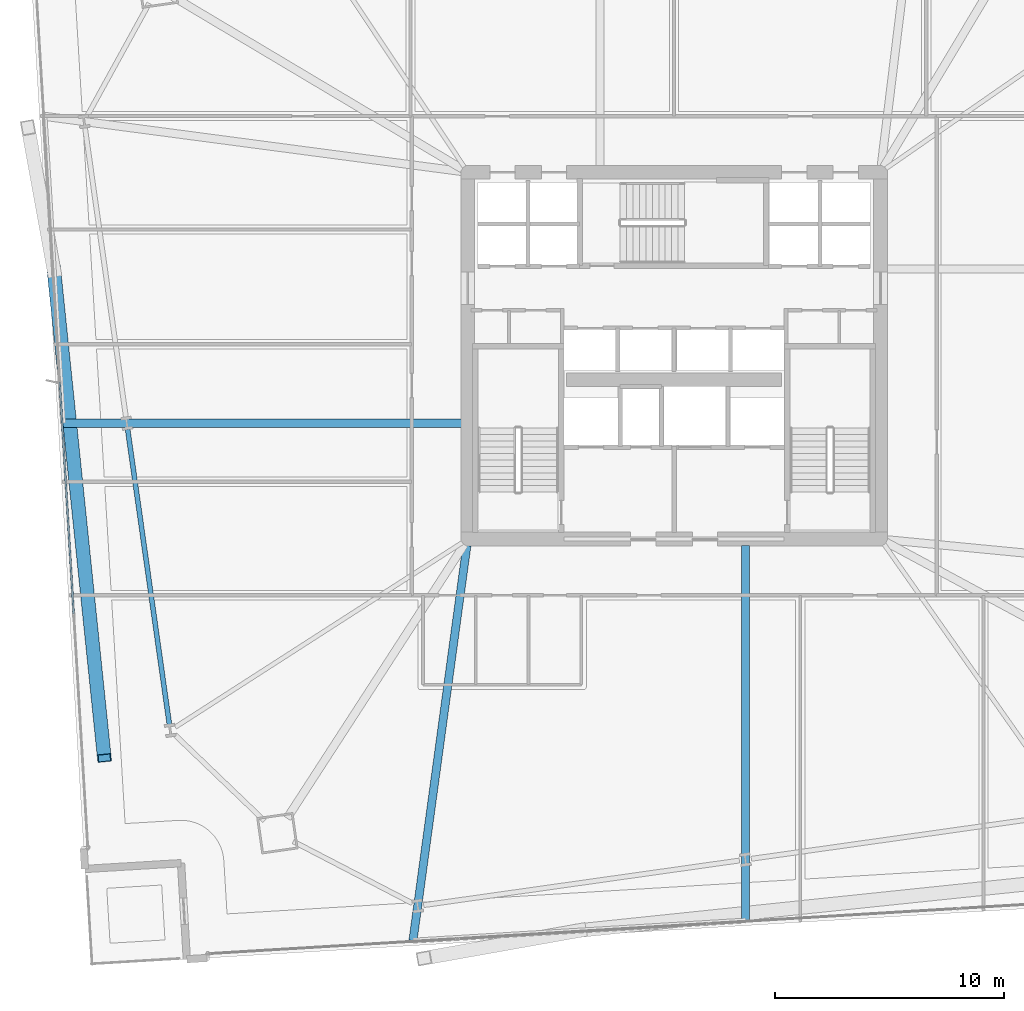
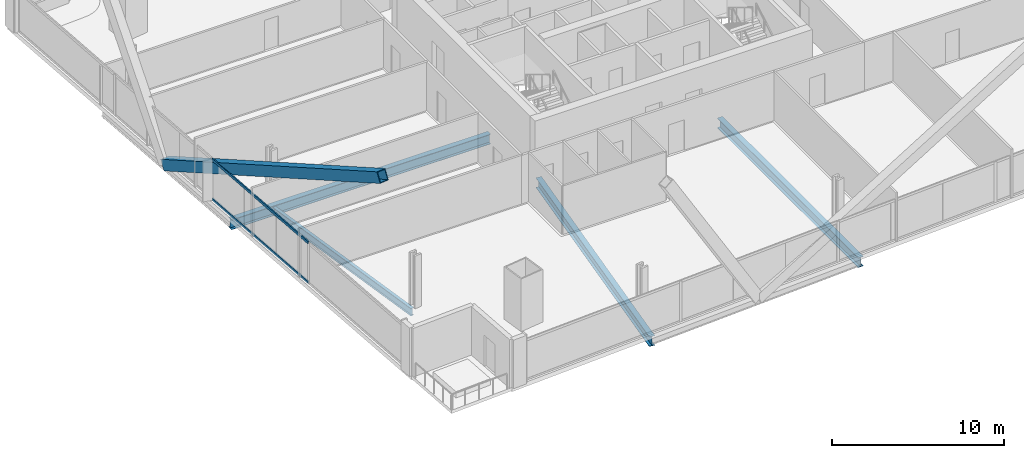
# One storey, part 6 of 34: 4 beams, 3 members, 1 element without a shape of its own.
"""IFC4 building model written with IfcOpenShell, lengths in metres."""

from ifc_helpers import new_model, si_unit, direction, frame, origin, origin_2d, place, context, subcontext, project, spatial, hollow_rectangle, i_section, extrude, material, material_profile, profile_set, type_object, element, aggregate, save


model = new_model("IFC4")

# Units and contexts
model_context = context("Model", 3, precision=1e-05, world=origin(), true_north=direction((0.0, 1.0)))
body_context = subcontext(model_context, "Body", "Model", "MODEL_VIEW")
ifc_project = project(units=[si_unit("LENGTHUNIT", "METRE"), si_unit("AREAUNIT", "SQUARE_METRE"), si_unit("VOLUMEUNIT", "CUBIC_METRE"), si_unit("PLANEANGLEUNIT", "RADIAN"), si_unit("MASSUNIT", "GRAM", prefix="KILO")], contexts=[model_context])

# Site, building, storey
site_placement = place(None, origin())
site = spatial("IfcSite", under=ifc_project, at=site_placement, CompositionType="ELEMENT")
building_placement = place(site_placement, origin())
building = spatial("IfcBuilding", under=site, at=building_placement, Name="Haldenkirk Collegiate Tower", CompositionType="ELEMENT")
storey_placement = place(building_placement, frame((0.0, 0.0, 40.199951171875)))
storey = spatial("IfcBuildingStorey", under=building, at=storey_placement, Name="L08", CompositionType="ELEMENT", Elevation=40.199951171875)

# Beams
ifc_material_1 = material(Name="Steel ASTM A992 Grade 50", Category="steel")
ifc_material_profile_1 = material_profile(ifc_material_1, i_section(OverallWidth=0.35498046875, OverallDepth=0.696044921875, WebThickness=0.015380859375, FlangeThickness=0.02490234375, at=origin_2d()), Name="W27X146")
ifc_profile_set_1 = profile_set([ifc_material_profile_1], Name="Steel ASTM A992 Grade 50")
beam_type_1 = type_object("IfcBeamType", Name="BM-GIRDER-W27X146", PredefinedType="BEAM", material=ifc_profile_set_1)
beam_1_placement = place(storey_placement, frame((24.609130859375, 0.48828125, -0.657958984375), z_axis=(0.135276051162, 0.990807948082, 0.0), x_axis=(-0.990807948082, 0.135276051162, 0.0)))
element("IfcBeam", 1, at=beam_1_placement, inside=storey, type_object=beam_type_1, Name="L08 primary floor girder 05", PredefinedType="BEAM", context=body_context, shape_type="SweptSolid", body=[
    extrude(i_section(OverallWidth=0.35498046875, OverallDepth=0.696044921875, WebThickness=0.015380859375, FlangeThickness=0.02490234375, at=origin_2d()), origin(), (0.0, 0.0, 1.0), 17.394287109375),
])
beam_2_placement = place(storey_placement, frame((39.10888671875, 1.362548828125, -0.657958984375), z_axis=(0.0, 1.0, 0.0), x_axis=(-1.0, 0.0, 0.0)))
element("IfcBeam", 2, at=beam_2_placement, inside=storey, type_object=beam_type_1, Name="L08 primary floor girder 06", PredefinedType="BEAM", context=body_context, shape_type="SweptSolid", body=[
    extrude(i_section(OverallWidth=0.35498046875, OverallDepth=0.696044921875, WebThickness=0.015380859375, FlangeThickness=0.02490234375, at=origin_2d()), origin(), (0.0, 0.0, 1.0), 16.357421875),
])
beam_3_placement = place(storey_placement, frame((9.34912109375, 23.052978515625, -0.657958984375), z_axis=(1.0, 0.0, 0.0), x_axis=(0.0, 1.0, 0.0)))
element("IfcBeam", 3, at=beam_3_placement, inside=storey, type_object=beam_type_1, Name="L08 primary floor girder 15", PredefinedType="BEAM", context=body_context, shape_type="SweptSolid", body=[
    extrude(i_section(OverallWidth=0.35498046875, OverallDepth=0.696044921875, WebThickness=0.015380859375, FlangeThickness=0.02490234375, at=origin_2d()), origin(), (0.0, 0.0, 1.0), 17.370849609375),
])
ifc_material_profile_2 = material_profile(ifc_material_1, i_section(OverallWidth=0.2119140625, OverallDepth=0.5439453125, WebThickness=0.01318359375, FlangeThickness=0.021240234375, at=origin_2d()), Name="W21X83")
ifc_profile_set_2 = profile_set([ifc_material_profile_2], Name="Steel ASTM A992 Grade 50")
beam_type_2 = type_object("IfcBeamType", Name="BM-SPANDREL-W21X83", PredefinedType="SPANDREL", material=ifc_profile_set_2)
beam_4_placement = place(storey_placement, frame((12.16455078125, 22.791015625, -0.58203125), z_axis=(0.140043508171, -0.990145350855, 0.0), x_axis=(0.990145350855, 0.140043508171, 0.0)))
element("IfcBeam", 4, at=beam_4_placement, inside=storey, type_object=beam_type_2, Name="L08 perimeter spandrel beam 15", PredefinedType="SPANDREL", context=body_context, shape_type="SweptSolid", body=[
    extrude(i_section(OverallWidth=0.2119140625, OverallDepth=0.5439453125, WebThickness=0.01318359375, FlangeThickness=0.021240234375, at=origin_2d()), origin(), (0.0, 0.0, 1.0), 13.0),
])

# Curtain wall, members
ifc_material_2 = material(Name="Anodised architectural bronze aluminium", Category="aluminium")
curtain_wall_type = type_object("IfcCurtainWallType", Name="CW-SYS1-CONVEX-LOW", PredefinedType="USERDEFINED", material=ifc_material_2)
curtain_wall_placement = place(storey_placement, origin())
curtain_wall = element("IfcCurtainWall", 5, at=curtain_wall_placement, inside=storey, type_object=curtain_wall_type, Name="L08 Lower tower convex bronze-framed unitised curtain wall", ObjectType="UNITISED CURTAIN WALL", PredefinedType="USERDEFINED")
ifc_material_profile_3 = material_profile(ifc_material_2, hollow_rectangle(XDim=0.080078125, YDim=0.179931640625, WallThickness=0.0048828125, at=origin_2d()), Name="CW-TRN-1A")
ifc_profile_set_3 = profile_set([ifc_material_profile_3], Name="Anodised architectural bronze aluminium")
member_type_1 = type_object("IfcMemberType", Name="CW-TRN-1A", PredefinedType="USERDEFINED", material=ifc_profile_set_3)
member_1_placement = place(storey_placement, frame((9.809814453125, 14.743408203125, 0.0400390625), z_axis=(-0.060165837476, 0.998188395044, 0.0), x_axis=(-0.998188395044, -0.060165837476, 0.0)))
member_1 = element("IfcMember", 6, at=member_1_placement, type_object=member_type_1, Name="CW-1A transom 2.1", ObjectType="TRANSOM", PredefinedType="USERDEFINED", context=body_context, shape_type="SweptSolid", body=[
    extrude(hollow_rectangle(XDim=0.080078125, YDim=0.179931640625, WallThickness=0.0048828125, at=origin_2d()), origin(), (0.0, 0.0, 1.0), 10.1201171875),
])
member_2_placement = place(storey_placement, frame((9.809814453125, 14.743408203125, 2.85107421875), z_axis=(-0.060165837476, 0.998188395044, 0.0), x_axis=(-0.998188395044, -0.060165837476, 0.0)))
member_2 = element("IfcMember", 7, at=member_2_placement, type_object=member_type_1, Name="CW-1A transom 2.2", ObjectType="TRANSOM", PredefinedType="USERDEFINED", context=body_context, shape_type="SweptSolid", body=[
    extrude(hollow_rectangle(XDim=0.080078125, YDim=0.179931640625, WallThickness=0.0048828125, at=origin_2d()), origin(), (0.0, 0.0, 1.0), 10.1201171875),
])
aggregate(curtain_wall, [member_1, member_2])

# Member
ifc_material_3 = material(Name="Steel ASTM A572 Grade 50", Category="steel")
ifc_material_profile_4 = material_profile(ifc_material_3, hollow_rectangle(XDim=0.60009765625, YDim=0.719970703125, WallThickness=0.044921875, at=origin_2d()), Name="BOX720X600X45")
ifc_profile_set_4 = profile_set([ifc_material_profile_4], Name="Steel ASTM A572 Grade 50")
member_type_2 = type_object("IfcMemberType", Name="MBR-MEGABRACE-BOX720X600X45", PredefinedType="BRACE", material=ifc_profile_set_4)
member_3_placement = place(storey_placement, frame((8.945556640625, 29.7470703125, -0.320068359375), z_axis=(0.091075744659, -0.880523368197, 0.46517072865), x_axis=(0.99469328292, 0.1028847555, 0.0)))
element("IfcMember", 8, at=member_3_placement, inside=storey, type_object=member_type_2, Name="Perimeter Mega Brace Z1 L08-L10 WR", PredefinedType="BRACE", context=body_context, shape_type="SweptSolid", body=[
    extrude(hollow_rectangle(XDim=0.60009765625, YDim=0.719970703125, WallThickness=0.044921875, at=origin_2d()), origin(), (0.0, 0.0, 1.0), 24.1845703125),
])

save(model, "model.ifc")
